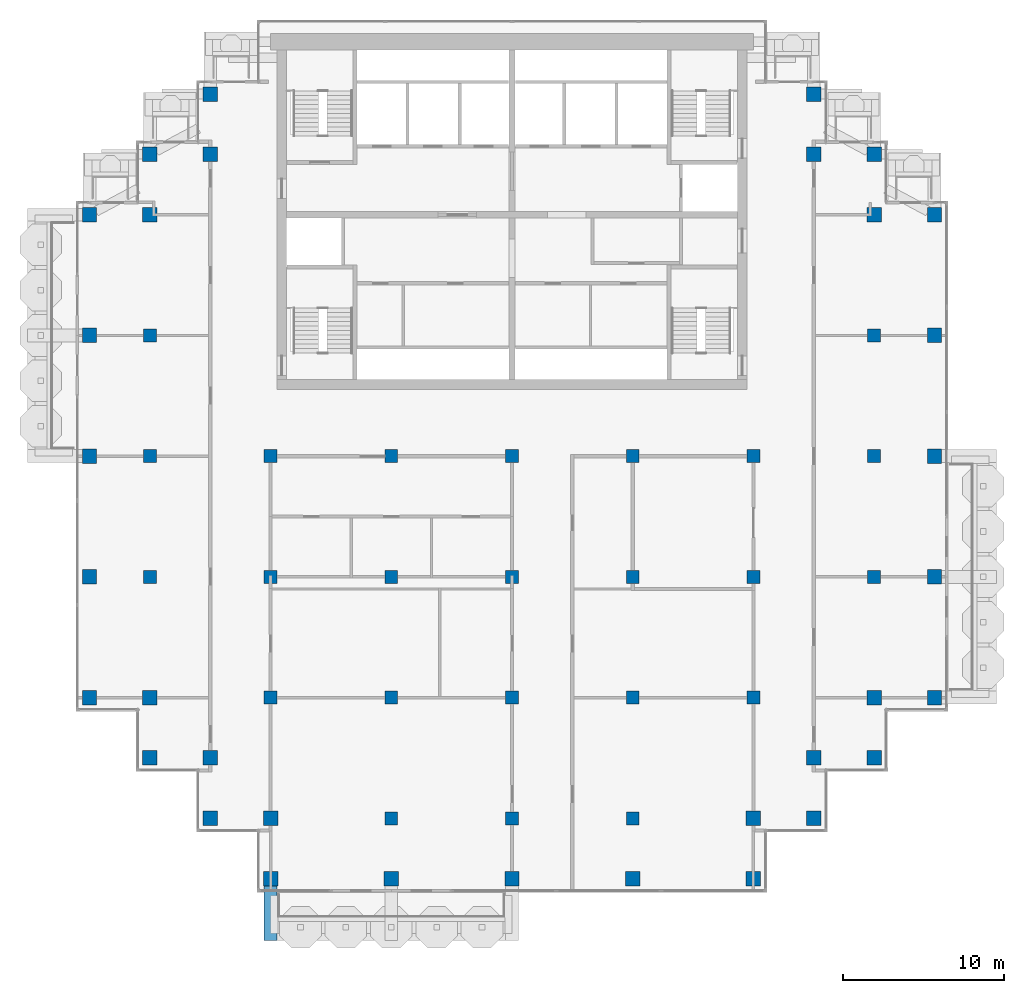
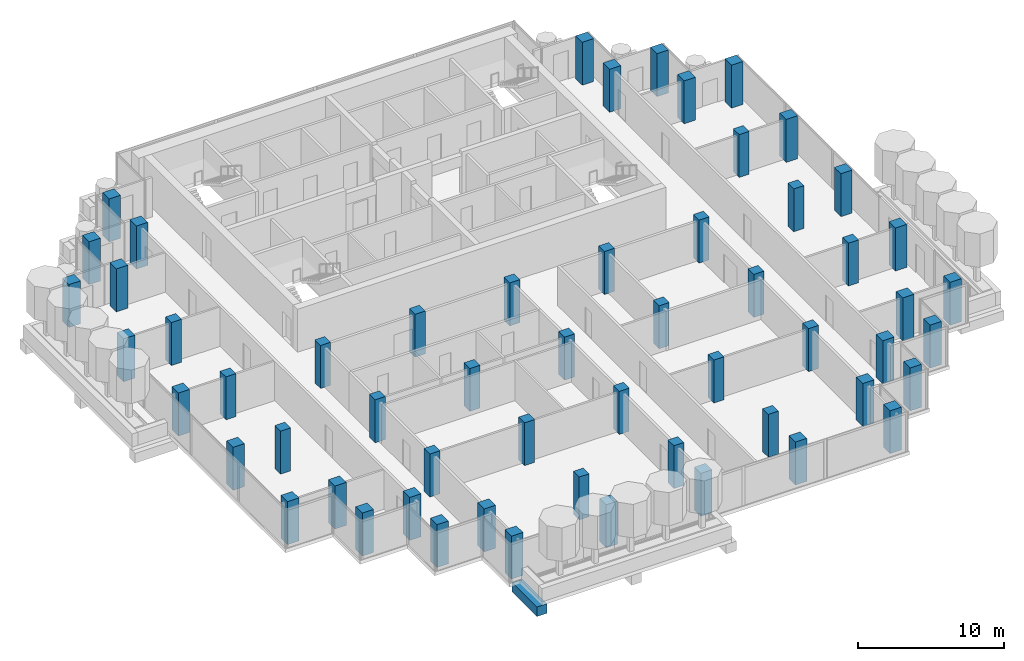
# One storey, part 1 of 18: 57 columns, 1 beam.
"""IFC4 building model written with IfcOpenShell, lengths in metres."""

from ifc_helpers import new_model, si_unit, direction, frame, origin, origin_2d, place, context, subcontext, project, spatial, rectangle, extrude, material, material_profile, profile_set, type_object, element, save


model = new_model("IFC4")

# Units and contexts
model_context = context("Model", 3, precision=1e-05, world=origin(), true_north=direction((0.0, 1.0)))
body_context = subcontext(model_context, "Body", "Model", "MODEL_VIEW")
ifc_project = project(units=[si_unit("LENGTHUNIT", "METRE"), si_unit("AREAUNIT", "SQUARE_METRE"), si_unit("VOLUMEUNIT", "CUBIC_METRE"), si_unit("PLANEANGLEUNIT", "RADIAN"), si_unit("MASSUNIT", "GRAM", prefix="KILO")], contexts=[model_context])

# Site, building, storey
site_placement = place(None, origin())
site = spatial("IfcSite", under=ifc_project, at=site_placement, CompositionType="ELEMENT")
building_placement = place(site_placement, origin())
building = spatial("IfcBuilding", under=site, at=building_placement, Name="Pilkhan Gate Tower", CompositionType="ELEMENT")
storey_placement = place(building_placement, frame((0.0, 0.0, 235.5)))
storey = spatial("IfcBuildingStorey", under=building, at=storey_placement, Name="L61", CompositionType="ELEMENT", Elevation=235.5)

# Columns
ifc_material = material(Name="Concrete C50/60", Category="concrete")
ifc_material_profile_1 = material_profile(ifc_material, rectangle(XDim=0.800048828125, YDim=0.800048828125, at=origin_2d()), Name="RC 800x800")
ifc_profile_set_1 = profile_set([ifc_material_profile_1], Name="Concrete C50/60")
column_type_1 = type_object("IfcColumnType", Name="Column C80 RC 800x800 C50/60", PredefinedType="COLUMN", material=ifc_profile_set_1)
for number, where, z_axis, x_axis, name in (
    (1, (52.5, 60.0, 0.0), (0.0, 0.0, 1.0), (1.0, 0.0, 0.0), "Column 5/F L61"),
    (2, (52.5, 67.5, 0.0), (0.0, 0.0, 1.0), (1.0, 0.0, 0.0), "Column 5/H L61"),
    (3, (52.5, 75.0, 0.0), (0.0, 0.0, 1.0), (1.0, 0.0, 0.0), "Column 5/K L61"),
    (4, (60.0, 52.5, 0.0), (0.0, 0.0, 1.0), (1.0, 0.0, 0.0), "Column 7/D L61"),
    (5, (60.0, 60.0, 0.0), (0.0, 0.0, 1.0), (1.0, 0.0, 0.0), "Column 7/F L61"),
    (6, (60.0, 67.5, 0.0), (0.0, 0.0, 1.0), (1.0, 0.0, 0.0), "Column 7/H L61"),
    (7, (67.5, 45.0, 0.0), (0.0, 0.0, 1.0), (1.0, 0.0, 0.0), "Column 9/B L61"),
    (8, (67.5, 52.5, 0.0), (0.0, 0.0, 1.0), (1.0, 0.0, 0.0), "Column 9/D L61"),
    (9, (67.5, 60.0, 0.0), (0.0, 0.0, 1.0), (1.0, 0.0, 0.0), "Column 9/F L61"),
    (10, (67.5, 67.5, 0.0), (0.0, 0.0, 1.0), (1.0, 0.0, 0.0), "Column 9/H L61"),
    (11, (75.0, 45.0, 0.0), (0.0, 0.0, 1.0), (1.0, 0.0, 0.0), "Column 11/B L61"),
    (12, (75.0, 52.5, 0.0), (0.0, 0.0, 1.0), (1.0, 0.0, 0.0), "Column 11/D L61"),
    (13, (75.0, 60.0, 0.0), (0.0, 0.0, 1.0), (1.0, 0.0, 0.0), "Column 11/F L61"),
    (14, (75.0, 67.5, 0.0), (0.0, 0.0, 1.0), (1.0, 0.0, 0.0), "Column 11/H L61"),
    (15, (82.5, 45.0, 0.0), (0.0, 0.0, 1.0), (1.0, 0.0, 0.0), "Column 13/B L61"),
    (16, (82.5, 52.5, 0.0), (0.0, 0.0, 1.0), (1.0, 0.0, 0.0), "Column 13/D L61"),
    (17, (82.5, 60.0, 0.0), (0.0, 0.0, 1.0), (1.0, 0.0, 0.0), "Column 13/F L61"),
    (18, (82.5, 67.5, 0.0), (0.0, 0.0, 1.0), (1.0, 0.0, 0.0), "Column 13/H L61"),
    (19, (90.0, 52.5, 0.0), (0.0, 0.0, 1.0), (1.0, 0.0, 0.0), "Column 15/D L61"),
    (20, (90.0, 60.0, 0.0), (0.0, 0.0, 1.0), (1.0, 0.0, 0.0), "Column 15/F L61"),
    (21, (90.0, 67.5, 0.0), (0.0, 0.0, 1.0), (1.0, 0.0, 0.0), "Column 15/H L61"),
    (22, (97.5, 60.0, 0.0), (0.0, 0.0, 1.0), (1.0, 0.0, 0.0), "Column 17/F L61"),
    (23, (97.5, 67.5, 0.0), (0.0, 0.0, 1.0), (1.0, 0.0, 0.0), "Column 17/H L61"),
    (24, (97.5, 75.0, 0.0), (0.0, 0.0, 1.0), (1.0, 0.0, 0.0), "Column 17/K L61"),
):
    element("IfcColumn", number, at=place(storey_placement, frame(where, z_axis=z_axis, x_axis=x_axis)), inside=storey, type_object=column_type_1, Name=name, PredefinedType="COLUMN", context=body_context, shape_type="SweptSolid", body=[
        extrude(rectangle(XDim=0.800048828125, YDim=0.800048828125, at=origin_2d()), origin(), (0.0, 0.0, 1.0), 3.60009765625),
    ])
ifc_material_profile_2 = material_profile(ifc_material, rectangle(XDim=0.89990234375, YDim=0.89990234375, at=origin_2d()), Name="RC 900x900")
ifc_profile_set_2 = profile_set([ifc_material_profile_2], Name="Concrete C50/60")
column_type_2 = type_object("IfcColumnType", Name="Column C90 RC 900x900 C50/60", PredefinedType="COLUMN", material=ifc_profile_set_2)
for number, where, z_axis, x_axis, name in (
    (25, (48.75, 52.5, 0.0), (0.0, 0.0, 1.0), (1.0, 0.0, 0.0), "Column 4/D L61"),
    (26, (48.75, 60.0, 0.0), (0.0, 0.0, 1.0), (1.0, 0.0, 0.0), "Column 4/F L61"),
    (27, (48.75, 67.5, 0.0), (0.0, 0.0, 1.0), (1.0, 0.0, 0.0), "Column 4/H L61"),
    (28, (48.75, 75.0, 0.0), (0.0, 0.0, 1.0), (1.0, 0.0, 0.0), "Column 4/K L61"),
    (29, (48.75, 82.5, 0.0), (0.0, 0.0, 1.0), (1.0, 0.0, 0.0), "Column 4/M L61"),
    (30, (52.5, 48.75, 0.0), (0.0, 0.0, 1.0), (1.0, 0.0, 0.0), "Column 5/C L61"),
    (31, (52.5, 52.5, 0.0), (0.0, 0.0, 1.0), (1.0, 0.0, 0.0), "Column 5/D L61"),
    (32, (52.5, 82.5, 0.0), (0.0, 0.0, 1.0), (1.0, 0.0, 0.0), "Column 5/M L61"),
    (33, (52.5, 86.25, 0.0), (0.0, 0.0, 1.0), (1.0, 0.0, 0.0), "Column 5/N L61"),
    (34, (56.25, 45.0, 0.0), (0.0, 0.0, 1.0), (1.0, 0.0, 0.0), "Column 6/B L61"),
    (35, (56.25, 48.75, 0.0), (0.0, 0.0, 1.0), (1.0, 0.0, 0.0), "Column 6/C L61"),
    (36, (56.25, 86.25, 0.0), (0.0, 0.0, 1.0), (1.0, 0.0, 0.0), "Column 6/N L61"),
    (37, (56.25, 90.0, 0.0), (0.0, 0.0, 1.0), (1.0, 0.0, 0.0), "Column 6/P L61"),
    (38, (60.0, 41.25, 0.0), (0.0, 0.0, 1.0), (1.0, 0.0, 0.0), "Column 7/A L61"),
    (39, (60.0, 45.0, 0.0), (0.0, 0.0, 1.0), (1.0, 0.0, 0.0), "Column 7/B L61"),
    (40, (67.5, 41.25, 0.0), (0.0, 0.0, 1.0), (1.0, 0.0, 0.0), "Column 9/A L61"),
    (41, (75.0, 41.25, 0.0), (0.0, 0.0, 1.0), (1.0, 0.0, 0.0), "Column 11/A L61"),
    (42, (82.5, 41.25, 0.0), (0.0, 0.0, 1.0), (1.0, 0.0, 0.0), "Column 13/A L61"),
    (43, (90.0, 41.25, 0.0), (0.0, 0.0, 1.0), (1.0, 0.0, 0.0), "Column 15/A L61"),
    (44, (90.0, 45.0, 0.0), (0.0, 0.0, 1.0), (1.0, 0.0, 0.0), "Column 15/B L61"),
    (45, (93.75, 45.0, 0.0), (0.0, 0.0, 1.0), (1.0, 0.0, 0.0), "Column 16/B L61"),
    (46, (93.75, 48.75, 0.0), (0.0, 0.0, 1.0), (1.0, 0.0, 0.0), "Column 16/C L61"),
    (47, (93.75, 86.25, 0.0), (0.0, 0.0, 1.0), (1.0, 0.0, 0.0), "Column 16/N L61"),
    (48, (93.75, 90.0, 0.0), (0.0, 0.0, 1.0), (1.0, 0.0, 0.0), "Column 16/P L61"),
    (49, (97.5, 48.75, 0.0), (0.0, 0.0, 1.0), (1.0, 0.0, 0.0), "Column 17/C L61"),
    (50, (97.5, 52.5, 0.0), (0.0, 0.0, 1.0), (1.0, 0.0, 0.0), "Column 17/D L61"),
    (51, (97.5, 82.5, 0.0), (0.0, 0.0, 1.0), (1.0, 0.0, 0.0), "Column 17/M L61"),
    (52, (97.5, 86.25, 0.0), (0.0, 0.0, 1.0), (1.0, 0.0, 0.0), "Column 17/N L61"),
    (53, (101.25, 52.5, 0.0), (0.0, 0.0, 1.0), (1.0, 0.0, 0.0), "Column 18/D L61"),
    (54, (101.25, 60.0, 0.0), (0.0, 0.0, 1.0), (1.0, 0.0, 0.0), "Column 18/F L61"),
    (55, (101.25, 67.5, 0.0), (0.0, 0.0, 1.0), (1.0, 0.0, 0.0), "Column 18/H L61"),
    (56, (101.25, 75.0, 0.0), (0.0, 0.0, 1.0), (1.0, 0.0, 0.0), "Column 18/K L61"),
    (57, (101.25, 82.5, 0.0), (0.0, 0.0, 1.0), (1.0, 0.0, 0.0), "Column 18/M L61"),
):
    element("IfcColumn", number, at=place(storey_placement, frame(where, z_axis=z_axis, x_axis=x_axis)), inside=storey, type_object=column_type_2, Name=name, PredefinedType="COLUMN", context=body_context, shape_type="SweptSolid", body=[
        extrude(rectangle(XDim=0.89990234375, YDim=0.89990234375, at=origin_2d()), origin(), (0.0, 0.0, 1.0), 3.60009765625),
    ])

# Beam
ifc_material_profile_3 = material_profile(ifc_material, rectangle(XDim=0.800048828125, YDim=0.800048828125, at=origin_2d()), Name="RC 800x800")
ifc_profile_set_3 = profile_set([ifc_material_profile_3], Name="Concrete C50/60")
beam_type = type_object("IfcBeamType", Name="Cantilever beam CB2 RC 800x800 C50/60", PredefinedType="BEAM", material=ifc_profile_set_3)
beam_placement = place(storey_placement, frame((60.0, 40.800048828125, -0.699951171875), z_axis=(0.0, -1.0, 0.0), x_axis=(1.0, 0.0, 0.0)))
element("IfcBeam", 58, at=beam_placement, inside=storey, type_object=beam_type, Name="Balcony beam S.1 L61", PredefinedType="BEAM", context=body_context, shape_type="SweptSolid", body=[
    extrude(rectangle(XDim=0.800048828125, YDim=0.800048828125, at=origin_2d()), origin(), (0.0, 0.0, 1.0), 3.400146484375),
])

save(model, "model.ifc")
